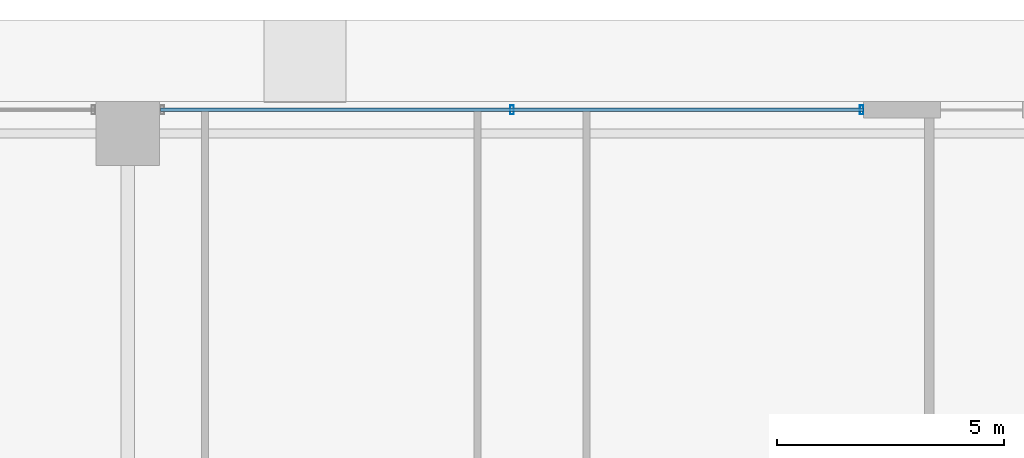
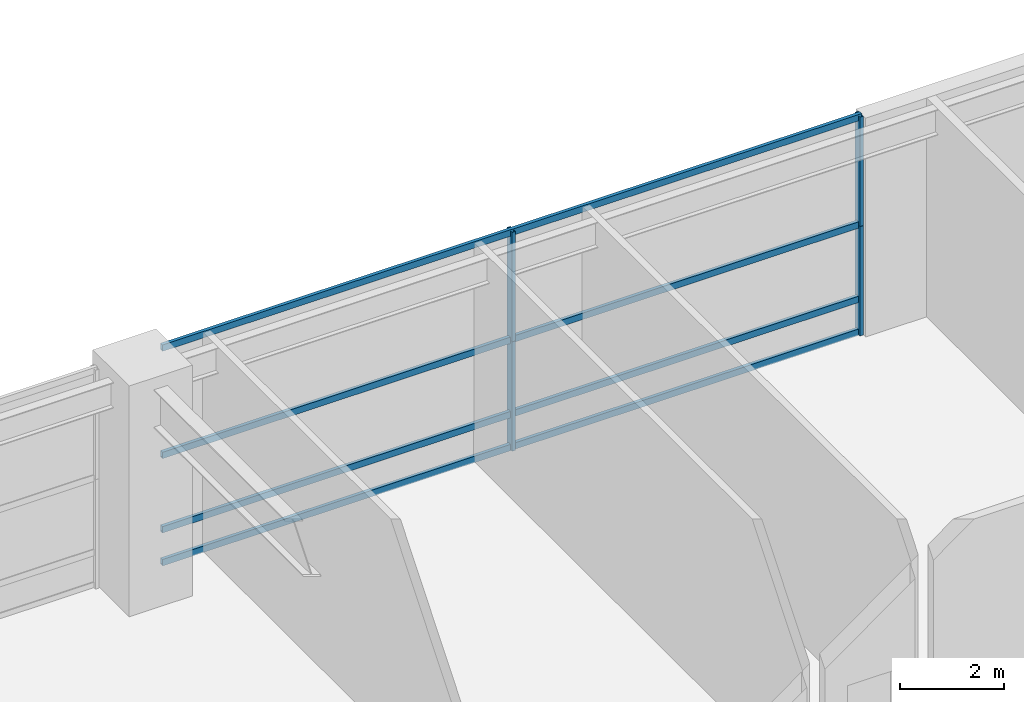
# One storey, part 18 of 32: 8 members, 1 element without a shape of its own.
"""IFC4 building model written with IfcOpenShell, lengths in metres."""

from ifc_helpers import new_model, si_unit, direction, frame, origin, origin_2d, place, context, subcontext, project, spatial, hollow_rectangle, extrude, source, transform, mapped, material, layer, layer_set, material_profile, profile_set, type_object, element, aggregate, save


model = new_model("IFC4")

# Units and contexts
model_context = context("Model", 3, precision=1e-05, world=origin(), true_north=direction((0.0, 1.0)))
body_context = subcontext(model_context, "Body", "Model", "MODEL_VIEW")
ifc_project = project(units=[si_unit("LENGTHUNIT", "METRE"), si_unit("AREAUNIT", "SQUARE_METRE"), si_unit("VOLUMEUNIT", "CUBIC_METRE"), si_unit("PLANEANGLEUNIT", "RADIAN"), si_unit("MASSUNIT", "GRAM", prefix="KILO"), si_unit("THERMODYNAMICTEMPERATUREUNIT", "KELVIN"), si_unit("POWERUNIT", "WATT")], contexts=[model_context])

# Site, building, storey
site_placement = place(None, origin())
site = spatial("IfcSite", under=ifc_project, at=site_placement, CompositionType="ELEMENT")
building_placement = place(site_placement, origin())
building = spatial("IfcBuilding", under=site, at=building_placement, Name="Yuzanri Waterfront Tower", CompositionType="ELEMENT")
storey_placement = place(building_placement, origin())
storey = spatial("IfcBuildingStorey", under=building, at=storey_placement, Name="L01", CompositionType="ELEMENT", Elevation=0.0)

# Curtain wall, members
ifc_material_1 = material(Name="Anodized Architectural Bronze", Category="metal")
ifc_layer = layer(ifc_material_1, 0.159912109375)
ifc_layer_set = layer_set([ifc_layer], Name="Anodized Architectural Bronze")
curtain_wall_type = type_object("IfcCurtainWallType", Name="Anodized Bronze Podium Waterfront Double-Height Unitized Curtain Wall 8400", PredefinedType="NOTDEFINED", material=ifc_layer_set)
curtain_wall_placement = place(storey_placement, origin())
curtain_wall = element("IfcCurtainWall", 1, at=curtain_wall_placement, inside=storey, type_object=curtain_wall_type, Name="L01 Curtain Wall CW-L01-N2", PredefinedType="NOTDEFINED")
ifc_material_2 = material(Name="Anodized Architectural Bronze", Category="metal")
ifc_material_profile_1 = material_profile(ifc_material_2, hollow_rectangle(XDim=0.074951171875, YDim=0.199951171875, WallThickness=0.00390625, at=origin_2d()), Name="CWM 75x200")
ifc_profile_set_1 = profile_set([ifc_material_profile_1], Name="Anodized Architectural Bronze")
member_type_1 = type_object("IfcMemberType", Name="Anodized Bronze Primary Curtain-Wall Mullion 75x200", PredefinedType="MULLION", material=ifc_profile_set_1)
shared_shape_1 = source(origin(), body_context, "Body", "SweptSolid", [
    extrude(hollow_rectangle(XDim=0.074951171875, YDim=0.199951171875, WallThickness=0.00390625, at=origin_2d()), origin(), (0.0, 0.0, 1.0), 2.55810546875),
])
member_1_placement = place(storey_placement, frame((45.4599609375, 49.6201171875, 0.0), z_axis=(0.0, 0.0, 1.0), x_axis=(1.0, 0.0, 0.0)))
member_1 = element("IfcMember", 2, at=member_1_placement, type_object=member_type_1, Name="CW-L01-N2 Lower Mullion 01", PredefinedType="MULLION", context=body_context, shape_type="MappedRepresentation", body=[
    mapped(shared_shape_1, transform((0.0, 0.0, 0.0), scale=1.0)),
])
member_2_placement = place(storey_placement, frame((45.4599609375, 49.6201171875, 2.56201171875), z_axis=(0.0, 0.0, 1.0), x_axis=(1.0, 0.0, 0.0)))
member_2 = element("IfcMember", 3, at=member_2_placement, type_object=member_type_1, Name="CW-L01-N2 Upper Mullion 01", PredefinedType="MULLION", context=body_context, shape_type="MappedRepresentation", body=[
    mapped(shared_shape_1, transform((0.0, 0.0, 0.0), scale=1.0)),
])
member_3_placement = place(storey_placement, frame((53.159912109375, 49.6201171875, 0.0), z_axis=(0.0, 0.0, 1.0), x_axis=(1.0, 0.0, 0.0)))
member_3 = element("IfcMember", 4, at=member_3_placement, type_object=member_type_1, Name="CW-L01-N2 Lower Mullion 02", PredefinedType="MULLION", context=body_context, shape_type="MappedRepresentation", body=[
    mapped(shared_shape_1, transform((0.0, 0.0, 0.0), scale=1.0)),
])
member_4_placement = place(storey_placement, frame((53.159912109375, 49.6201171875, 2.56201171875), z_axis=(0.0, 0.0, 1.0), x_axis=(1.0, 0.0, 0.0)))
member_4 = element("IfcMember", 5, at=member_4_placement, type_object=member_type_1, Name="CW-L01-N2 Upper Mullion 02", PredefinedType="MULLION", context=body_context, shape_type="MappedRepresentation", body=[
    mapped(shared_shape_1, transform((0.0, 0.0, 0.0), scale=1.0)),
])
ifc_material_3 = material(Name="Anodized Architectural Bronze", Category="metal")
ifc_material_profile_2 = material_profile(ifc_material_3, hollow_rectangle(XDim=0.074951171875, YDim=0.14990234375, WallThickness=0.00390625, at=origin_2d()), Name="CWT 75x150")
ifc_profile_set_2 = profile_set([ifc_material_profile_2], Name="Anodized Architectural Bronze")
member_type_2 = type_object("IfcMemberType", Name="Anodized Bronze Primary Curtain-Wall Transom 75x150", PredefinedType="USERDEFINED", material=ifc_profile_set_2)
shared_shape_2 = source(origin(), body_context, "Body", "SweptSolid", [
    extrude(hollow_rectangle(XDim=0.074951171875, YDim=0.14990234375, WallThickness=0.00390625, at=origin_2d()), origin(), (0.0, 0.0, 1.0), 15.47998046875),
])
member_5_placement = place(storey_placement, frame((37.719970703125, 49.6201171875, 0.050048828125), z_axis=(1.0, 0.0, 0.0), x_axis=(0.0, 1.0, 0.0)))
member_5 = element("IfcMember", 6, at=member_5_placement, type_object=member_type_2, Name="CW-L01-N2 Transom 1", ObjectType="TRANSOM", PredefinedType="USERDEFINED", context=body_context, shape_type="MappedRepresentation", body=[
    mapped(shared_shape_2, transform((0.0, 0.0, 0.0), scale=1.0)),
])
member_6_placement = place(storey_placement, frame((37.719970703125, 49.6201171875, 0.820068359375), z_axis=(1.0, 0.0, 0.0), x_axis=(0.0, 1.0, 0.0)))
member_6 = element("IfcMember", 7, at=member_6_placement, type_object=member_type_2, Name="CW-L01-N2 Transom 2", ObjectType="TRANSOM", PredefinedType="USERDEFINED", context=body_context, shape_type="MappedRepresentation", body=[
    mapped(shared_shape_2, transform((0.0, 0.0, 0.0), scale=1.0)),
])
member_7_placement = place(storey_placement, frame((37.719970703125, 49.6201171875, 2.56005859375), z_axis=(1.0, 0.0, 0.0), x_axis=(0.0, 1.0, 0.0)))
member_7 = element("IfcMember", 8, at=member_7_placement, type_object=member_type_2, Name="CW-L01-N2 Transom 3", ObjectType="TRANSOM", PredefinedType="USERDEFINED", context=body_context, shape_type="MappedRepresentation", body=[
    mapped(shared_shape_2, transform((0.0, 0.0, 0.0), scale=1.0)),
])
member_8_placement = place(storey_placement, frame((37.719970703125, 49.6201171875, 5.070068359375), z_axis=(1.0, 0.0, 0.0), x_axis=(0.0, 1.0, 0.0)))
member_8 = element("IfcMember", 9, at=member_8_placement, type_object=member_type_2, Name="CW-L01-N2 Transom 4", ObjectType="TRANSOM", PredefinedType="USERDEFINED", context=body_context, shape_type="MappedRepresentation", body=[
    mapped(shared_shape_2, transform((0.0, 0.0, 0.0), scale=1.0)),
])
aggregate(curtain_wall, [member_1, member_2, member_3, member_4, member_5, member_6, member_7, member_8])

save(model, "model.ifc")
